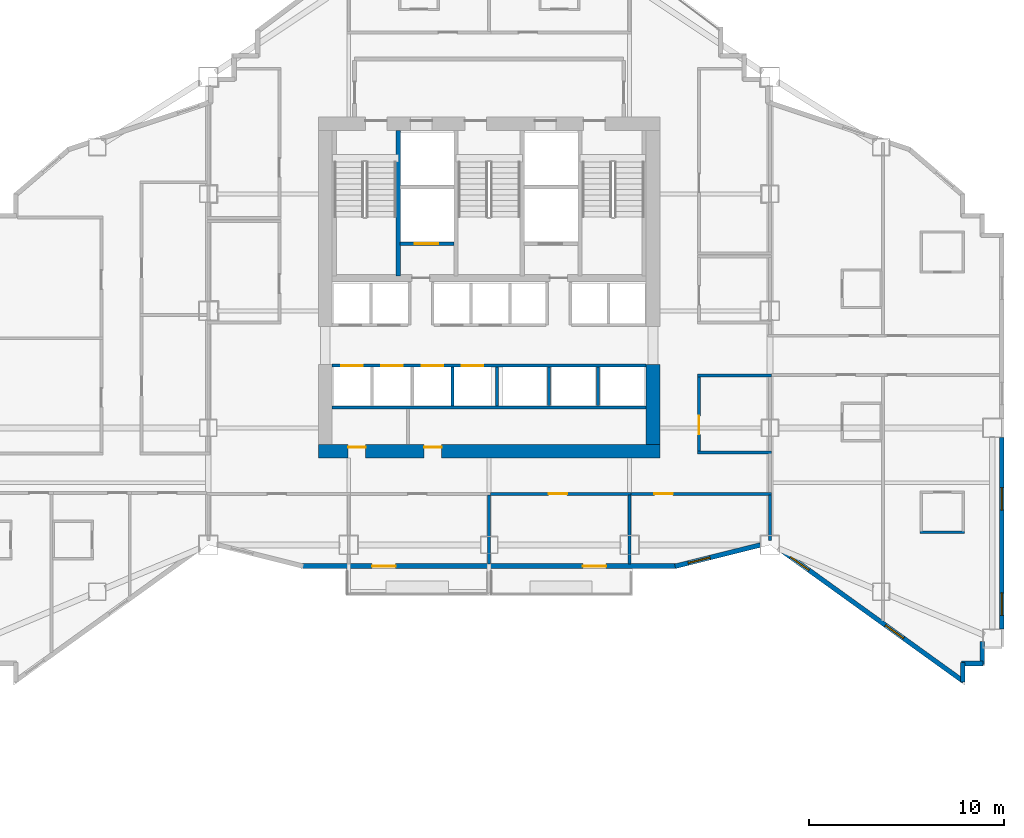
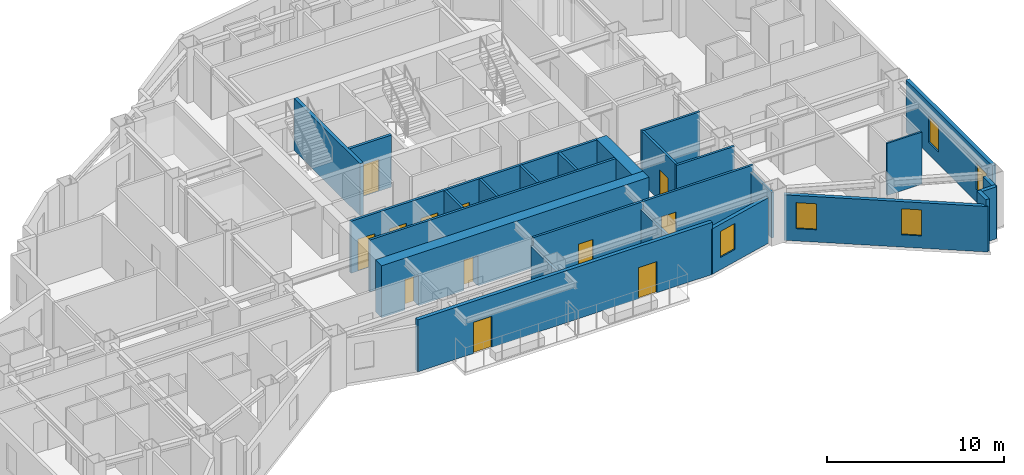
# One storey, part 7 of 14: 26 walls, 12 doors, 5 windows, 17 openings.
"""IFC4 building model written with IfcOpenShell, lengths in metres."""

from ifc_helpers import new_model, si_unit, direction, frame, frame_2d, origin, place, context, subcontext, project, spatial, rectangle, extrude, material, layer, layer_set, type_object, element, fill, save


model = new_model("IFC4")

# Units and contexts
model_context = context("Model", 3, precision=1e-05, world=origin(), true_north=direction((0.0, 1.0)))
body_context = subcontext(model_context, "Body", "Model", "MODEL_VIEW")
ifc_project = project(units=[si_unit("LENGTHUNIT", "METRE"), si_unit("AREAUNIT", "SQUARE_METRE"), si_unit("VOLUMEUNIT", "CUBIC_METRE"), si_unit("PLANEANGLEUNIT", "RADIAN"), si_unit("MASSUNIT", "GRAM", prefix="KILO")], contexts=[model_context])

# Site, building, storey
site_placement = place(None, origin())
site = spatial("IfcSite", under=ifc_project, at=site_placement, CompositionType="ELEMENT")
building_placement = place(site_placement, origin())
building = spatial("IfcBuilding", under=site, at=building_placement, Name="Haolan Belvedere Tower", CompositionType="ELEMENT")
storey_placement = place(building_placement, frame((0.0, 0.0, 98.39990234375)))
storey = spatial("IfcBuildingStorey", under=building, at=storey_placement, Name="L24", CompositionType="ELEMENT", Elevation=98.39990234375)

# Wall, openings, doors
ifc_material_1 = material(Name="Concrete C60/75", Category="concrete")
ifc_layer_1 = layer(ifc_material_1, 0.699951171875, Name="Concrete C60/75")
ifc_layer_set_1 = layer_set([ifc_layer_1], Name="Concrete C60/75")
wall_type_1 = type_object("IfcWallType", Name="WL-CORE-700", PredefinedType="SHEAR", material=ifc_layer_set_1)
wall_1_placement = place(storey_placement, frame((29.64990234375, 26.39990234375, 0.0), z_axis=(0.0, 0.0, 1.0), x_axis=(1.0, 0.0, 0.0)))
wall_1 = element("IfcWall", 1, at=wall_1_placement, inside=storey, type_object=wall_type_1, Name="L24 central core south shear wall", PredefinedType="SHEAR", context=body_context, shape_type="SweptSolid", body=[
    extrude(rectangle(XDim=17.5, YDim=0.699951171875, at=frame_2d((8.75, 0.0))), origin(), (0.0, 0.0, 1.0), 3.60009765625),
])
opening_1_placement = place(wall_1_placement, frame((2.419921875, 0.0, 0.0), z_axis=(0.0, 0.0, 1.0), x_axis=(-1.0, 0.0, 0.0)))
opening_1 = element("IfcOpeningElement", 2, at=opening_1_placement, cuts=wall_1, Name="Opening FD-05", PredefinedType="OPENING", context=body_context, shape_type="SweptSolid", body=[
    extrude(rectangle(XDim=0.89990234375, YDim=2.10009765625, at=frame_2d((0.449951171875, 1.050048828125))), frame((0.0, 0.35986328125, 0.0), z_axis=(0.0, -1.0, 0.0), x_axis=(1.0, 0.0, 0.0)), (0.0, 0.0, 1.0), 0.719970703125),
])
opening_2_placement = place(wall_1_placement, frame((6.309814453125, 0.0, 0.0), z_axis=(0.0, 0.0, 1.0), x_axis=(-1.0, 0.0, 0.0)))
opening_2 = element("IfcOpeningElement", 3, at=opening_2_placement, cuts=wall_1, Name="Opening FD-05", PredefinedType="OPENING", context=body_context, shape_type="SweptSolid", body=[
    extrude(rectangle(XDim=0.89990234375, YDim=2.10009765625, at=frame_2d((0.449951171875, 1.050048828125))), frame((0.0, 0.35986328125, 0.0), z_axis=(0.0, -1.0, 0.0), x_axis=(1.0, 0.0, 0.0)), (0.0, 0.0, 1.0), 0.719970703125),
])
ifc_material_2 = material(Name="Galvanised fire-rated steel", Category="steel")
door_type_1 = type_object("IfcDoorType", Name="DR-FD60-900", OperationType="NOTDEFINED", PredefinedType="DOOR", material=ifc_material_2)
door_1_placement = place(opening_1_placement, origin())
door_1 = element("IfcDoor", 4, at=door_1_placement, inside=storey, type_object=door_type_1, Name="L24 door CD-L24-SCV-1", OperationType="SINGLE_SWING_LEFT", OverallHeight=2.10009765625, OverallWidth=0.89990234375, PredefinedType="DOOR", context=body_context, shape_type="SweptSolid", body=[
    extrude(rectangle(XDim=0.89990234375, YDim=2.10009765625, at=frame_2d((0.449951171875, 1.050048828125))), frame((0.0, -0.19482421875, 0.0), z_axis=(0.0, -1.0, 0.0), x_axis=(1.0, 0.0, 0.0)), (0.0, 0.0, 1.0), 0.050048828125),
])
fill(opening_1, door_1)
door_2_placement = place(opening_2_placement, origin())
door_2 = element("IfcDoor", 5, at=door_2_placement, inside=storey, type_object=door_type_1, Name="L24 door CD-L24-SCV-2", OperationType="SINGLE_SWING_RIGHT", OverallHeight=2.10009765625, OverallWidth=0.89990234375, PredefinedType="DOOR", context=body_context, shape_type="SweptSolid", body=[
    extrude(rectangle(XDim=0.89990234375, YDim=2.10009765625, at=frame_2d((0.449951171875, 1.050048828125))), frame((0.0, -0.19482421875, 0.0), z_axis=(0.0, -1.0, 0.0), x_axis=(1.0, 0.0, 0.0)), (0.0, 0.0, 1.0), 0.050048828125),
])
fill(opening_2, door_2)

# Wall
wall_2_placement = place(storey_placement, frame((46.800048828125, 26.75, 0.0), z_axis=(0.0, 0.0, 1.0), x_axis=(0.0, 1.0, 0.0)))
element("IfcWall", 6, at=wall_2_placement, inside=storey, type_object=wall_type_1, Name="L24 central core shear wall ES", PredefinedType="SHEAR", context=body_context, shape_type="SweptSolid", body=[
    extrude(rectangle(XDim=4.10009765625, YDim=0.699951171875, at=frame_2d((2.050048828125, 0.0))), origin(), (0.0, 0.0, 1.0), 3.60009765625),
])

# Wall, openings, doors
ifc_material_3 = material(Name="Precast concrete C40/50", Category="concrete")
ifc_layer_2 = layer(ifc_material_3, 0.239990234375, Name="Precast concrete C40/50")
ifc_layer_set_2 = layer_set([ifc_layer_2], Name="Precast concrete C40/50")
wall_type_2 = type_object("IfcWallType", Name="WL-EXT-240", PredefinedType="SOLIDWALL", material=ifc_layer_set_2)
wall_3_placement = place(storey_placement, frame((28.759765625, 20.52001953125, 0.0), z_axis=(0.0, 0.0, 1.0), x_axis=(1.0, 0.0, 0.0)))
wall_3 = element("IfcWall", 7, at=wall_3_placement, inside=storey, type_object=wall_type_2, Name="L24 pale-metal exterior spandrel wall 7.1", PredefinedType="SOLIDWALL", context=body_context, shape_type="SweptSolid", body=[
    extrude(rectangle(XDim=19.280517578125, YDim=0.239990234375, at=frame_2d((9.64013671875, 0.0))), origin(), (0.0, 0.0, 1.0), 3.60009765625),
])
opening_3_placement = place(wall_3_placement, frame((4.840087890625, 0.0, 0.0), z_axis=(0.0, 0.0, 1.0), x_axis=(-1.0, 0.0, 0.0)))
opening_3 = element("IfcOpeningElement", 8, at=opening_3_placement, cuts=wall_3, Name="Opening BD-01", PredefinedType="OPENING", context=body_context, shape_type="SweptSolid", body=[
    extrude(rectangle(XDim=1.199951171875, YDim=2.14990234375, at=frame_2d((0.60009765625, 1.074951171875))), frame((0.0, 0.1298828125, 0.0), z_axis=(0.0, -1.0, 0.0), x_axis=(1.0, 0.0, 0.0)), (0.0, 0.0, 1.0), 0.260009765625),
])
opening_4_placement = place(wall_3_placement, frame((15.64013671875, 0.0, 0.0), z_axis=(0.0, 0.0, 1.0), x_axis=(-1.0, 0.0, 0.0)))
opening_4 = element("IfcOpeningElement", 9, at=opening_4_placement, cuts=wall_3, Name="Opening BD-01", PredefinedType="OPENING", context=body_context, shape_type="SweptSolid", body=[
    extrude(rectangle(XDim=1.199951171875, YDim=2.14990234375, at=frame_2d((0.60009765625, 1.074951171875))), frame((0.0, 0.1298828125, 0.0), z_axis=(0.0, -1.0, 0.0), x_axis=(1.0, 0.0, 0.0)), (0.0, 0.0, 1.0), 0.260009765625),
])
ifc_material_4 = material(Name="Thermally broken pale-metal aluminium and Low-E glass", Category="aluminium")
door_type_2 = type_object("IfcDoorType", Name="DR-BAL-1200", OperationType="NOTDEFINED", PredefinedType="DOOR", material=ifc_material_4)
door_3_placement = place(opening_3_placement, origin())
door_3 = element("IfcDoor", 10, at=door_3_placement, inside=storey, type_object=door_type_2, Name="L24 tree-balcony access door 1", OperationType="SINGLE_SWING_RIGHT", OverallHeight=2.14990234375, OverallWidth=1.199951171875, PredefinedType="DOOR", context=body_context, shape_type="SweptSolid", body=[
    extrude(rectangle(XDim=1.199951171875, YDim=2.14990234375, at=frame_2d((0.60009765625, 1.074951171875))), frame((0.0, 0.02490234375, 0.0), z_axis=(0.0, -1.0, 0.0), x_axis=(1.0, 0.0, 0.0)), (0.0, 0.0, 1.0), 0.050048828125),
])
fill(opening_3, door_3)
door_4_placement = place(opening_4_placement, origin())
door_4 = element("IfcDoor", 11, at=door_4_placement, inside=storey, type_object=door_type_2, Name="L24 tree-balcony access door 2", OperationType="SINGLE_SWING_LEFT", OverallHeight=2.14990234375, OverallWidth=1.199951171875, PredefinedType="DOOR", context=body_context, shape_type="SweptSolid", body=[
    extrude(rectangle(XDim=1.199951171875, YDim=2.14990234375, at=frame_2d((0.60009765625, 1.074951171875))), frame((0.0, 0.02490234375, 0.0), z_axis=(0.0, -1.0, 0.0), x_axis=(1.0, 0.0, 0.0)), (0.0, 0.0, 1.0), 0.050048828125),
])
fill(opening_4, door_4)

# Wall, opening, window
wall_4_placement = place(storey_placement, frame((47.931884765625, 20.506591796875, 0.0), z_axis=(0.0, 0.0, 1.0), x_axis=(0.970145683738, 0.242522890311, 0.0)))
wall_4 = element("IfcWall", 12, at=wall_4_placement, inside=storey, type_object=wall_type_2, Name="L24 pale-metal exterior spandrel wall 8.1", PredefinedType="SOLIDWALL", context=body_context, shape_type="SweptSolid", body=[
    extrude(rectangle(XDim=4.510986328125, YDim=0.239990234375, at=frame_2d((2.25537109375, 0.0))), origin(), (0.0, 0.0, 1.0), 3.14501953125),
])
opening_5_placement = place(wall_4_placement, frame((0.699951171875, 0.0, 0.85009765625)))
opening_5 = element("IfcOpeningElement", 13, at=opening_5_placement, cuts=wall_4, Name="Opening W-02", PredefinedType="OPENING", context=body_context, shape_type="SweptSolid", body=[
    extrude(rectangle(XDim=1.14990234375, YDim=1.800048828125, at=frame_2d((0.574951171875, 0.89990234375))), frame((0.0, 0.1298828125, 0.0), z_axis=(0.0, -1.0, 0.0), x_axis=(1.0, 0.0, 0.0)), (0.0, 0.0, 1.0), 0.260009765625),
])
ifc_material_5 = material(Name="Anodised aluminium 6063-T6 and Low-E glass", Category="aluminium")
window_type = type_object("IfcWindowType", Name="WN-DECO-Z2", PartitioningType="SINGLE_PANEL", PredefinedType="WINDOW", material=ifc_material_5)
window_1_placement = place(opening_5_placement, origin())
window_1 = element("IfcWindow", 14, at=window_1_placement, inside=storey, type_object=window_type, Name="L24 Art Deco chevron window 1", OverallHeight=1.800048828125, OverallWidth=1.14990234375, PartitioningType="SINGLE_PANEL", PredefinedType="WINDOW", context=body_context, shape_type="SweptSolid", body=[
    extrude(rectangle(XDim=1.14990234375, YDim=1.800048828125, at=frame_2d((0.574951171875, 0.89990234375))), frame((0.0, 0.030029296875, 0.0), z_axis=(0.0, -1.0, 0.0), x_axis=(1.0, 0.0, 0.0)), (0.0, 0.0, 1.0), 0.06005859375),
])
fill(opening_5, window_1)

# Wall, openings, windows
wall_5_placement = place(storey_placement, frame((53.2919921875, 21.3935546875, 0.0), z_axis=(0.0, 0.0, 1.0), x_axis=(0.811543504691, -0.584291998913, 0.0)))
wall_5 = element("IfcWall", 15, at=wall_5_placement, inside=storey, type_object=wall_type_2, Name="L24 pale-metal exterior spandrel wall 9.1", PredefinedType="SOLIDWALL", context=body_context, shape_type="SweptSolid", body=[
    extrude(rectangle(XDim=11.623046875, YDim=0.239990234375, at=frame_2d((5.8115234375, 0.0))), origin(), (0.0, 0.0, 1.0), 3.14501953125),
])
opening_6_placement = place(wall_5_placement, frame((0.699951171875, 0.0, 0.85009765625)))
opening_6 = element("IfcOpeningElement", 16, at=opening_6_placement, cuts=wall_5, Name="Opening W-02", PredefinedType="OPENING", context=body_context, shape_type="SweptSolid", body=[
    extrude(rectangle(XDim=1.14990234375, YDim=1.800048828125, at=frame_2d((0.574951171875, 0.89990234375))), frame((0.0, 0.1298828125, 0.0), z_axis=(0.0, -1.0, 0.0), x_axis=(1.0, 0.0, 0.0)), (0.0, 0.0, 1.0), 0.260009765625),
])
opening_7_placement = place(wall_5_placement, frame((6.687744140625, 0.0, 0.85009765625)))
opening_7 = element("IfcOpeningElement", 17, at=opening_7_placement, cuts=wall_5, Name="Opening W-02", PredefinedType="OPENING", context=body_context, shape_type="SweptSolid", body=[
    extrude(rectangle(XDim=1.14990234375, YDim=1.800048828125, at=frame_2d((0.574951171875, 0.89990234375))), frame((0.0, 0.1298828125, 0.0), z_axis=(0.0, -1.0, 0.0), x_axis=(1.0, 0.0, 0.0)), (0.0, 0.0, 1.0), 0.260009765625),
])
window_2_placement = place(opening_6_placement, origin())
window_2 = element("IfcWindow", 18, at=window_2_placement, inside=storey, type_object=window_type, Name="L24 Art Deco chevron window 1", OverallHeight=1.800048828125, OverallWidth=1.14990234375, PartitioningType="SINGLE_PANEL", PredefinedType="WINDOW", context=body_context, shape_type="SweptSolid", body=[
    extrude(rectangle(XDim=1.14990234375, YDim=1.800048828125, at=frame_2d((0.574951171875, 0.89990234375))), frame((0.0, 0.030029296875, 0.0), z_axis=(0.0, -1.0, 0.0), x_axis=(1.0, 0.0, 0.0)), (0.0, 0.0, 1.0), 0.06005859375),
])
fill(opening_6, window_2)
window_3_placement = place(opening_7_placement, origin())
window_3 = element("IfcWindow", 19, at=window_3_placement, inside=storey, type_object=window_type, Name="L24 Art Deco chevron window 2", OverallHeight=1.800048828125, OverallWidth=1.14990234375, PartitioningType="SINGLE_PANEL", PredefinedType="WINDOW", context=body_context, shape_type="SweptSolid", body=[
    extrude(rectangle(XDim=1.14990234375, YDim=1.800048828125, at=frame_2d((0.574951171875, 0.89990234375))), frame((0.0, 0.030029296875, 0.0), z_axis=(0.0, -1.0, 0.0), x_axis=(1.0, 0.0, 0.0)), (0.0, 0.0, 1.0), 0.06005859375),
])
fill(opening_7, window_3)

# Walls
wall_6_placement = place(storey_placement, frame((62.679931640625, 14.579345703125, 0.0), z_axis=(0.0, 0.0, 1.0), x_axis=(0.0, 1.0, 0.0)))
element("IfcWall", 20, at=wall_6_placement, inside=storey, type_object=wall_type_2, Name="L24 pale-metal exterior spandrel wall 10.1", PredefinedType="SOLIDWALL", context=body_context, shape_type="SweptSolid", body=[
    extrude(rectangle(XDim=0.99560546875, YDim=0.239990234375, at=frame_2d((0.497802734375, 0.0))), origin(), (0.0, 0.0, 1.0), 3.60009765625),
])
wall_7_placement = place(storey_placement, frame((62.625, 15.52001953125, 0.0), z_axis=(0.0, 0.0, 1.0), x_axis=(1.0, 0.0, 0.0)))
element("IfcWall", 21, at=wall_7_placement, inside=storey, type_object=wall_type_2, Name="L24 pale-metal exterior spandrel wall 11.1", PredefinedType="SOLIDWALL", context=body_context, shape_type="SweptSolid", body=[
    extrude(rectangle(XDim=1.110107421875, YDim=0.239990234375, at=frame_2d((0.55517578125, 0.0))), origin(), (0.0, 0.0, 1.0), 3.60009765625),
])
wall_8_placement = place(storey_placement, frame((63.679931640625, 15.465087890625, 0.0), z_axis=(0.0, 0.0, 1.0), x_axis=(0.0, 1.0, 0.0)))
element("IfcWall", 22, at=wall_8_placement, inside=storey, type_object=wall_type_2, Name="L24 pale-metal exterior spandrel wall 12.1", PredefinedType="SOLIDWALL", context=body_context, shape_type="SweptSolid", body=[
    extrude(rectangle(XDim=1.1748046875, YDim=0.239990234375, at=frame_2d((0.58740234375, 0.0))), origin(), (0.0, 0.0, 1.0), 3.60009765625),
])

# Wall, openings, windows
wall_9_placement = place(storey_placement, frame((64.679931640625, 17.2919921875, 0.0), z_axis=(0.0, 0.0, 1.0), x_axis=(0.0, 1.0, 0.0)))
wall_9 = element("IfcWall", 23, at=wall_9_placement, inside=storey, type_object=wall_type_2, Name="L24 pale-metal exterior spandrel wall 14.1", PredefinedType="SOLIDWALL", context=body_context, shape_type="SweptSolid", body=[
    extrude(rectangle(XDim=9.81591796875, YDim=0.239990234375, at=frame_2d((4.907958984375, 0.0))), origin(), (0.0, 0.0, 1.0), 3.60009765625),
])
opening_8_placement = place(wall_9_placement, frame((0.699951171875, 0.0, 0.85009765625)))
opening_8 = element("IfcOpeningElement", 24, at=opening_8_placement, cuts=wall_9, Name="Opening W-02", PredefinedType="OPENING", context=body_context, shape_type="SweptSolid", body=[
    extrude(rectangle(XDim=1.14990234375, YDim=1.800048828125, at=frame_2d((0.574951171875, 0.89990234375))), frame((0.0, 0.1298828125, 0.0), z_axis=(0.0, -1.0, 0.0), x_axis=(1.0, 0.0, 0.0)), (0.0, 0.0, 1.0), 0.260009765625),
])
opening_9_placement = place(wall_9_placement, frame((6.10009765625, 0.0, 0.85009765625)))
opening_9 = element("IfcOpeningElement", 25, at=opening_9_placement, cuts=wall_9, Name="Opening W-02", PredefinedType="OPENING", context=body_context, shape_type="SweptSolid", body=[
    extrude(rectangle(XDim=1.14990234375, YDim=1.800048828125, at=frame_2d((0.574951171875, 0.89990234375))), frame((0.0, 0.1298828125, 0.0), z_axis=(0.0, -1.0, 0.0), x_axis=(1.0, 0.0, 0.0)), (0.0, 0.0, 1.0), 0.260009765625),
])
window_4_placement = place(opening_8_placement, origin())
window_4 = element("IfcWindow", 26, at=window_4_placement, inside=storey, type_object=window_type, Name="L24 Art Deco chevron window 1", OverallHeight=1.800048828125, OverallWidth=1.14990234375, PartitioningType="SINGLE_PANEL", PredefinedType="WINDOW", context=body_context, shape_type="SweptSolid", body=[
    extrude(rectangle(XDim=1.14990234375, YDim=1.800048828125, at=frame_2d((0.574951171875, 0.89990234375))), frame((0.0, 0.030029296875, 0.0), z_axis=(0.0, -1.0, 0.0), x_axis=(1.0, 0.0, 0.0)), (0.0, 0.0, 1.0), 0.06005859375),
])
fill(opening_8, window_4)
window_5_placement = place(opening_9_placement, origin())
window_5 = element("IfcWindow", 27, at=window_5_placement, inside=storey, type_object=window_type, Name="L24 Art Deco chevron window 2", OverallHeight=1.800048828125, OverallWidth=1.14990234375, PartitioningType="SINGLE_PANEL", PredefinedType="WINDOW", context=body_context, shape_type="SweptSolid", body=[
    extrude(rectangle(XDim=1.14990234375, YDim=1.800048828125, at=frame_2d((0.574951171875, 0.89990234375))), frame((0.0, 0.030029296875, 0.0), z_axis=(0.0, -1.0, 0.0), x_axis=(1.0, 0.0, 0.0)), (0.0, 0.0, 1.0), 0.06005859375),
])
fill(opening_9, window_5)

# Walls
ifc_material_6 = material(Name="Double gypsum acoustic stud partition", Category="masonry")
ifc_layer_3 = layer(ifc_material_6, 0.14990234375, Name="Double gypsum acoustic stud partition")
ifc_layer_set_3 = layer_set([ifc_layer_3], Name="Double gypsum acoustic stud partition")
wall_type_3 = type_object("IfcWallType", Name="WL-PART-150", PredefinedType="PARTITIONING", material=ifc_layer_set_3)
wall_10_placement = place(storey_placement, frame((30.35009765625, 28.659912109375, 0.0), z_axis=(0.0, 0.0, 1.0), x_axis=(1.0, 0.0, 0.0)))
element("IfcWall", 28, at=wall_10_placement, inside=storey, type_object=wall_type_3, Name="L24 interior partition IW-L24-SSTRIP-N", PredefinedType="PARTITIONING", context=body_context, shape_type="SweptSolid", body=[
    extrude(rectangle(XDim=16.099853515625, YDim=0.14990234375, at=frame_2d((8.0498046875, 0.0))), origin(), (0.0, 0.0, 1.0), 3.60009765625),
])
for number, where, z_axis, x_axis, name in (
    (29, (49.080078125, 30.280029296875, 0.0), (0.0, 0.0, 1.0), (1.0, 0.0, 0.0), "L24 interior partition IW-L24-PKTE-N"),
    (30, (49.080078125, 26.35009765625, 0.0), (0.0, 0.0, 1.0), (1.0, 0.0, 0.0), "L24 interior partition IW-L24-PKTE-S"),
):
    element("IfcWall", number, at=place(storey_placement, frame(where, z_axis=z_axis, x_axis=x_axis)), inside=storey, type_object=wall_type_3, Name=name, PredefinedType="PARTITIONING", context=body_context, shape_type="SweptSolid", body=[
        extrude(rectangle(XDim=3.7998046875, YDim=0.14990234375, at=frame_2d((1.89990234375, 0.0))), origin(), (0.0, 0.0, 1.0), 3.60009765625),
    ])

# Wall, opening, door
wall_11_placement = place(storey_placement, frame((49.159912109375, 26.409912109375, 0.0), z_axis=(0.0, 0.0, 1.0), x_axis=(0.0, 1.0, 0.0)))
wall_11 = element("IfcWall", 31, at=wall_11_placement, inside=storey, type_object=wall_type_3, Name="L24 interior partition IW-L24-PKTE-W", PredefinedType="PARTITIONING", context=body_context, shape_type="SweptSolid", body=[
    extrude(rectangle(XDim=3.81005859375, YDim=0.14990234375, at=frame_2d((1.905029296875, 0.0))), origin(), (0.0, 0.0, 1.0), 3.60009765625),
])
opening_10_placement = place(wall_11_placement, frame((0.860107421875, 0.0, 0.0)))
opening_10 = element("IfcOpeningElement", 32, at=opening_10_placement, cuts=wall_11, Name="Opening ID-03", PredefinedType="OPENING", context=body_context, shape_type="SweptSolid", body=[
    extrude(rectangle(XDim=0.949951171875, YDim=2.1201171875, at=frame_2d((0.47509765625, 1.06005859375))), frame((0.0, 0.0849609375, 0.0), z_axis=(0.0, -1.0, 0.0), x_axis=(1.0, 0.0, 0.0)), (0.0, 0.0, 1.0), 0.169921875),
])
ifc_material_7 = material(Name="Painted solid-core timber", Category="wood")
door_type_3 = type_object("IfcDoorType", Name="DR-INT-950", OperationType="NOTDEFINED", PredefinedType="DOOR", material=ifc_material_7)
door_5_placement = place(opening_10_placement, origin())
door_5 = element("IfcDoor", 33, at=door_5_placement, inside=storey, type_object=door_type_3, Name="L24 door ID-L24-PKTE", OperationType="SINGLE_SWING_RIGHT", OverallHeight=2.1201171875, OverallWidth=0.949951171875, PredefinedType="DOOR", context=body_context, shape_type="SweptSolid", body=[
    extrude(rectangle(XDim=0.949951171875, YDim=2.1201171875, at=frame_2d((0.47509765625, 1.06005859375))), frame((0.0, 0.02490234375, 0.0), z_axis=(0.0, -1.0, 0.0), x_axis=(1.0, 0.0, 0.0)), (0.0, 0.0, 1.0), 0.050048828125),
])
fill(opening_10, door_5)

# Wall
wall_12_placement = place(storey_placement, frame((38.39990234375, 20.625, 0.0), z_axis=(0.0, 0.0, 1.0), x_axis=(0.0, 1.0, 0.0)))
element("IfcWall", 34, at=wall_12_placement, inside=storey, type_object=wall_type_3, Name="L24 interior partition IW-L24-KS2-E", PredefinedType="PARTITIONING", context=body_context, shape_type="SweptSolid", body=[
    extrude(rectangle(XDim=3.534912109375, YDim=0.14990234375, at=frame_2d((1.767578125, 0.0))), origin(), (0.0, 0.0, 1.0), 3.085205078125),
])

# Wall, opening, door
wall_13_placement = place(storey_placement, frame((38.48193359375, 24.219970703125, 0.0), z_axis=(0.0, 0.0, 1.0), x_axis=(1.0, 0.0, 0.0)))
wall_13 = element("IfcWall", 35, at=wall_13_placement, inside=storey, type_object=wall_type_3, Name="L24 interior partition IW-L24-KS3-N", PredefinedType="PARTITIONING", context=body_context, shape_type="SweptSolid", body=[
    extrude(rectangle(XDim=7.197998046875, YDim=0.14990234375, at=frame_2d((3.59912109375, 0.0))), origin(), (0.0, 0.0, 1.0), 3.60009765625),
])
opening_11_placement = place(wall_13_placement, frame((3.912841796875, 0.0, 0.0), z_axis=(0.0, 0.0, 1.0), x_axis=(-1.0, 0.0, 0.0)))
opening_11 = element("IfcOpeningElement", 36, at=opening_11_placement, cuts=wall_13, Name="Opening ID-03", PredefinedType="OPENING", context=body_context, shape_type="SweptSolid", body=[
    extrude(rectangle(XDim=0.949951171875, YDim=2.1201171875, at=frame_2d((0.47509765625, 1.06005859375))), frame((0.0, 0.0849609375, 0.0), z_axis=(0.0, -1.0, 0.0), x_axis=(1.0, 0.0, 0.0)), (0.0, 0.0, 1.0), 0.169921875),
])
door_6_placement = place(opening_11_placement, origin())
door_6 = element("IfcDoor", 37, at=door_6_placement, inside=storey, type_object=door_type_3, Name="L24 door ID-L24-KS3", OperationType="SINGLE_SWING_RIGHT", OverallHeight=2.1201171875, OverallWidth=0.949951171875, PredefinedType="DOOR", context=body_context, shape_type="SweptSolid", body=[
    extrude(rectangle(XDim=0.949951171875, YDim=2.1201171875, at=frame_2d((0.47509765625, 1.06005859375))), frame((0.0, 0.02490234375, 0.0), z_axis=(0.0, -1.0, 0.0), x_axis=(1.0, 0.0, 0.0)), (0.0, 0.0, 1.0), 0.050048828125),
])
fill(opening_11, door_6)

# Wall
wall_14_placement = place(storey_placement, frame((45.60009765625, 20.625, 0.0), z_axis=(0.0, 0.0, 1.0), x_axis=(0.0, 1.0, 0.0)))
element("IfcWall", 38, at=wall_14_placement, inside=storey, type_object=wall_type_3, Name="L24 interior partition IW-L24-KS3-E", PredefinedType="PARTITIONING", context=body_context, shape_type="SweptSolid", body=[
    extrude(rectangle(XDim=3.534912109375, YDim=0.14990234375, at=frame_2d((1.767578125, 0.0))), origin(), (0.0, 0.0, 1.0), 3.085205078125),
])

# Wall, opening, door
wall_15_placement = place(storey_placement, frame((45.681884765625, 24.219970703125, 0.0), z_axis=(0.0, 0.0, 1.0), x_axis=(1.0, 0.0, 0.0)))
wall_15 = element("IfcWall", 39, at=wall_15_placement, inside=storey, type_object=wall_type_3, Name="L24 interior partition IW-L24-KS4-N", PredefinedType="PARTITIONING", context=body_context, shape_type="SweptSolid", body=[
    extrude(rectangle(XDim=7.197998046875, YDim=0.14990234375, at=frame_2d((3.59912109375, 0.0))), origin(), (0.0, 0.0, 1.0), 3.60009765625),
])
opening_12_placement = place(wall_15_placement, frame((2.14306640625, 0.0, 0.0), z_axis=(0.0, 0.0, 1.0), x_axis=(-1.0, 0.0, 0.0)))
opening_12 = element("IfcOpeningElement", 40, at=opening_12_placement, cuts=wall_15, Name="Opening ID-03", PredefinedType="OPENING", context=body_context, shape_type="SweptSolid", body=[
    extrude(rectangle(XDim=0.949951171875, YDim=2.1201171875, at=frame_2d((0.47509765625, 1.06005859375))), frame((0.0, 0.0849609375, 0.0), z_axis=(0.0, -1.0, 0.0), x_axis=(1.0, 0.0, 0.0)), (0.0, 0.0, 1.0), 0.169921875),
])
door_7_placement = place(opening_12_placement, origin())
door_7 = element("IfcDoor", 41, at=door_7_placement, inside=storey, type_object=door_type_3, Name="L24 door ID-L24-KS4", OperationType="SINGLE_SWING_LEFT", OverallHeight=2.1201171875, OverallWidth=0.949951171875, PredefinedType="DOOR", context=body_context, shape_type="SweptSolid", body=[
    extrude(rectangle(XDim=0.949951171875, YDim=2.1201171875, at=frame_2d((0.47509765625, 1.06005859375))), frame((0.0, 0.02490234375, 0.0), z_axis=(0.0, -1.0, 0.0), x_axis=(1.0, 0.0, 0.0)), (0.0, 0.0, 1.0), 0.050048828125),
])
fill(opening_12, door_7)

# Wall
wall_16_placement = place(storey_placement, frame((52.800048828125, 21.818603515625, 0.0), z_axis=(0.0, 0.0, 1.0), x_axis=(0.0, 1.0, 0.0)))
element("IfcWall", 42, at=wall_16_placement, inside=storey, type_object=wall_type_3, Name="L24 interior partition IW-L24-KS4-E", PredefinedType="PARTITIONING", context=body_context, shape_type="SweptSolid", body=[
    extrude(rectangle(XDim=2.34130859375, YDim=0.14990234375, at=frame_2d((1.170654296875, 0.0))), origin(), (0.0, 0.0, 1.0), 3.14501953125),
])

# Wall, openings, doors
ifc_material_8 = material(Name="Gypsum fire shaftwall assembly", Category="masonry")
ifc_layer_4 = layer(ifc_material_8, 0.1650390625, Name="Gypsum fire shaftwall assembly")
ifc_layer_set_4 = layer_set([ifc_layer_4], Name="Gypsum fire shaftwall assembly")
wall_type_4 = type_object("IfcWallType", Name="WL-SHAFT-160", PredefinedType="SOLIDWALL", material=ifc_layer_set_4)
wall_17_placement = place(storey_placement, frame((30.35009765625, 30.800048828125, 0.0), z_axis=(0.0, 0.0, 1.0), x_axis=(1.0, 0.0, 0.0)))
wall_17 = element("IfcWall", 43, at=wall_17_placement, inside=storey, type_object=wall_type_4, Name="L24 interior partition IW-L24-ROW-PS", PredefinedType="SOLIDWALL", context=body_context, shape_type="SweptSolid", body=[
    extrude(rectangle(XDim=16.099853515625, YDim=0.159912109375, at=frame_2d((8.0498046875, 0.0))), origin(), (0.0, 0.0, 1.0), 3.60009765625),
])
opening_13_placement = place(wall_17_placement, frame((0.469970703125, 0.0, 0.0)))
opening_13 = element("IfcOpeningElement", 44, at=opening_13_placement, cuts=wall_17, Name="Opening LD-01", PredefinedType="OPENING", context=body_context, shape_type="SweptSolid", body=[
    extrude(rectangle(XDim=1.10009765625, YDim=2.199951171875, at=frame_2d((0.550048828125, 1.10009765625))), frame((0.0, 0.08984375, 0.0), z_axis=(0.0, -1.0, 0.0), x_axis=(1.0, 0.0, 0.0)), (0.0, 0.0, 1.0), 0.179931640625),
])
opening_14_placement = place(wall_17_placement, frame((2.530029296875, 0.0, 0.0)))
opening_14 = element("IfcOpeningElement", 45, at=opening_14_placement, cuts=wall_17, Name="Opening LD-01", PredefinedType="OPENING", context=body_context, shape_type="SweptSolid", body=[
    extrude(rectangle(XDim=1.10009765625, YDim=2.199951171875, at=frame_2d((0.550048828125, 1.10009765625))), frame((0.0, 0.08984375, 0.0), z_axis=(0.0, -1.0, 0.0), x_axis=(1.0, 0.0, 0.0)), (0.0, 0.0, 1.0), 0.179931640625),
])
opening_15_placement = place(wall_17_placement, frame((4.590087890625, 0.0, 0.0)))
opening_15 = element("IfcOpeningElement", 46, at=opening_15_placement, cuts=wall_17, Name="Opening LD-01", PredefinedType="OPENING", context=body_context, shape_type="SweptSolid", body=[
    extrude(rectangle(XDim=1.10009765625, YDim=2.199951171875, at=frame_2d((0.550048828125, 1.10009765625))), frame((0.0, 0.08984375, 0.0), z_axis=(0.0, -1.0, 0.0), x_axis=(1.0, 0.0, 0.0)), (0.0, 0.0, 1.0), 0.179931640625),
])
opening_16_placement = place(wall_17_placement, frame((6.64990234375, 0.0, 0.0)))
opening_16 = element("IfcOpeningElement", 47, at=opening_16_placement, cuts=wall_17, Name="Opening LD-01", PredefinedType="OPENING", context=body_context, shape_type="SweptSolid", body=[
    extrude(rectangle(XDim=1.10009765625, YDim=2.199951171875, at=frame_2d((0.550048828125, 1.10009765625))), frame((0.0, 0.08984375, 0.0), z_axis=(0.0, -1.0, 0.0), x_axis=(1.0, 0.0, 0.0)), (0.0, 0.0, 1.0), 0.179931640625),
])
ifc_material_9 = material(Name="Brushed champagne stainless steel 316L", Category="steel")
door_type_4 = type_object("IfcDoorType", Name="DR-LIFT-1100", OperationType="SLIDING_TO_LEFT", PredefinedType="DOOR", material=ifc_material_9)
door_8_placement = place(opening_13_placement, origin())
door_8 = element("IfcDoor", 48, at=door_8_placement, inside=storey, type_object=door_type_4, Name="L24 door ID-L24-LD-PM1", OperationType="SLIDING_TO_LEFT", OverallHeight=2.199951171875, OverallWidth=1.10009765625, PredefinedType="DOOR", context=body_context, shape_type="SweptSolid", body=[
    extrude(rectangle(XDim=1.10009765625, YDim=2.199951171875, at=frame_2d((0.550048828125, 1.10009765625))), frame((0.0, 0.02490234375, 0.0), z_axis=(0.0, -1.0, 0.0), x_axis=(1.0, 0.0, 0.0)), (0.0, 0.0, 1.0), 0.050048828125),
])
fill(opening_13, door_8)
door_9_placement = place(opening_14_placement, origin())
door_9 = element("IfcDoor", 49, at=door_9_placement, inside=storey, type_object=door_type_4, Name="L24 door ID-L24-LD-PM2", OperationType="SLIDING_TO_LEFT", OverallHeight=2.199951171875, OverallWidth=1.10009765625, PredefinedType="DOOR", context=body_context, shape_type="SweptSolid", body=[
    extrude(rectangle(XDim=1.10009765625, YDim=2.199951171875, at=frame_2d((0.550048828125, 1.10009765625))), frame((0.0, 0.02490234375, 0.0), z_axis=(0.0, -1.0, 0.0), x_axis=(1.0, 0.0, 0.0)), (0.0, 0.0, 1.0), 0.050048828125),
])
fill(opening_14, door_9)
door_10_placement = place(opening_15_placement, origin())
door_10 = element("IfcDoor", 50, at=door_10_placement, inside=storey, type_object=door_type_4, Name="L24 door ID-L24-LD-PM3", OperationType="SLIDING_TO_LEFT", OverallHeight=2.199951171875, OverallWidth=1.10009765625, PredefinedType="DOOR", context=body_context, shape_type="SweptSolid", body=[
    extrude(rectangle(XDim=1.10009765625, YDim=2.199951171875, at=frame_2d((0.550048828125, 1.10009765625))), frame((0.0, 0.02490234375, 0.0), z_axis=(0.0, -1.0, 0.0), x_axis=(1.0, 0.0, 0.0)), (0.0, 0.0, 1.0), 0.050048828125),
])
fill(opening_15, door_10)
door_11_placement = place(opening_16_placement, origin())
door_11 = element("IfcDoor", 51, at=door_11_placement, inside=storey, type_object=door_type_4, Name="L24 door ID-L24-LD-PM4", OperationType="SLIDING_TO_LEFT", OverallHeight=2.199951171875, OverallWidth=1.10009765625, PredefinedType="DOOR", context=body_context, shape_type="SweptSolid", body=[
    extrude(rectangle(XDim=1.10009765625, YDim=2.199951171875, at=frame_2d((0.550048828125, 1.10009765625))), frame((0.0, 0.02490234375, 0.0), z_axis=(0.0, -1.0, 0.0), x_axis=(1.0, 0.0, 0.0)), (0.0, 0.0, 1.0), 0.050048828125),
])
fill(opening_16, door_11)

# Walls
for number, where, z_axis, x_axis, name in (
    (52, (36.52001953125, 28.735107421875, 0.0), (0.0, 0.0, 1.0), (0.0, 1.0, 0.0), "L24 interior partition IW-L24-DIV-PM3"),
    (53, (38.800048828125, 28.735107421875, 0.0), (0.0, 0.0, 1.0), (0.0, 1.0, 0.0), "L24 interior partition IW-L24-DIV-PM4"),
):
    element("IfcWall", number, at=place(storey_placement, frame(where, z_axis=z_axis, x_axis=x_axis)), inside=storey, type_object=wall_type_4, Name=name, PredefinedType="SOLIDWALL", context=body_context, shape_type="SweptSolid", body=[
        extrude(rectangle(XDim=1.98486328125, YDim=0.14990234375, at=frame_2d((0.992431640625, 0.0))), origin(), (0.0, 0.0, 1.0), 3.60009765625),
    ])
for number, where, z_axis, x_axis, name in (
    (54, (41.469970703125, 28.75, 0.0), (0.0, 0.0, 1.0), (0.0, 1.0, 0.0), "L24 interior partition IW-L24-DIV-OB1"),
    (55, (43.97998046875, 28.75, 0.0), (0.0, 0.0, 1.0), (0.0, 1.0, 0.0), "L24 interior partition IW-L24-DIV-OB2"),
):
    element("IfcWall", number, at=place(storey_placement, frame(where, z_axis=z_axis, x_axis=x_axis)), inside=storey, type_object=wall_type_4, Name=name, PredefinedType="SOLIDWALL", context=body_context, shape_type="SweptSolid", body=[
        extrude(rectangle(XDim=1.985107421875, YDim=0.14990234375, at=frame_2d((0.99267578125, 0.0))), origin(), (0.0, 0.0, 1.0), 3.60009765625),
    ])

# Wall, opening, door
ifc_layer_5 = layer(ifc_material_3, 0.179931640625, Name="Precast concrete C40/50")
ifc_layer_set_5 = layer_set([ifc_layer_5], Name="Precast concrete C40/50")
wall_type_5 = type_object("IfcWallType", Name="WL-SHAFT-180", PredefinedType="SOLIDWALL", material=ifc_layer_set_5)
wall_18_placement = place(storey_placement, frame((33.8349609375, 37.050048828125, 0.0), z_axis=(0.0, 0.0, 1.0), x_axis=(1.0, 0.0, 0.0)))
wall_18 = element("IfcWall", 56, at=wall_18_placement, inside=storey, type_object=wall_type_5, Name="L24 interior partition IW-L24-SV1-S", PredefinedType="SOLIDWALL", context=body_context, shape_type="SweptSolid", body=[
    extrude(rectangle(XDim=2.77001953125, YDim=0.179931640625, at=frame_2d((1.385009765625, 0.0))), origin(), (0.0, 0.0, 1.0), 3.60009765625),
])
opening_17_placement = place(wall_18_placement, frame((1.945068359375, 0.0, 0.0), z_axis=(0.0, 0.0, 1.0), x_axis=(-1.0, 0.0, 0.0)))
opening_17 = element("IfcOpeningElement", 57, at=opening_17_placement, cuts=wall_18, Name="Opening LD-02", PredefinedType="OPENING", context=body_context, shape_type="SweptSolid", body=[
    extrude(rectangle(XDim=1.199951171875, YDim=2.199951171875, at=frame_2d((0.60009765625, 1.10009765625))), frame((0.0, 0.099853515625, 0.0), z_axis=(0.0, -1.0, 0.0), x_axis=(1.0, 0.0, 0.0)), (0.0, 0.0, 1.0), 0.199951171875),
])
door_type_5 = type_object("IfcDoorType", Name="DR-LIFT-1200", OperationType="SLIDING_TO_RIGHT", PredefinedType="DOOR", material=ifc_material_9)
door_12_placement = place(opening_17_placement, origin())
door_12 = element("IfcDoor", 58, at=door_12_placement, inside=storey, type_object=door_type_5, Name="L24 door ID-L24-LD-SV1", OperationType="SLIDING_TO_RIGHT", OverallHeight=2.199951171875, OverallWidth=1.199951171875, PredefinedType="DOOR", context=body_context, shape_type="SweptSolid", body=[
    extrude(rectangle(XDim=1.199951171875, YDim=2.199951171875, at=frame_2d((0.60009765625, 1.10009765625))), frame((0.0, 0.02490234375, 0.0), z_axis=(0.0, -1.0, 0.0), x_axis=(1.0, 0.0, 0.0)), (0.0, 0.0, 1.0), 0.050048828125),
])
fill(opening_17, door_12)

# Walls
ifc_material_10 = material(Name="Concrete C50/60", Category="concrete")
ifc_layer_6 = layer(ifc_material_10, 0.219970703125, Name="Concrete C50/60")
ifc_layer_set_6 = layer_set([ifc_layer_6], Name="Concrete C50/60")
wall_type_6 = type_object("IfcWallType", Name="WL-STAIR-220", PredefinedType="SHEAR", material=ifc_layer_set_6)
wall_19_placement = place(storey_placement, frame((33.739990234375, 35.389892578125, 0.0), z_axis=(0.0, 0.0, 1.0), x_axis=(0.0, 1.0, 0.0)))
element("IfcWall", 59, at=wall_19_placement, inside=storey, type_object=wall_type_6, Name="L24 structural stair core wall ST1E", PredefinedType="SHEAR", context=body_context, shape_type="SweptSolid", body=[
    extrude(rectangle(XDim=7.460205078125, YDim=0.219970703125, at=frame_2d((3.72998046875, 0.0))), origin(), (0.0, 0.0, 1.0), 3.60009765625),
])
ifc_material_11 = material(Name="Moisture-resistant gypsum tile partition", Category="masonry")
ifc_layer_7 = layer(ifc_material_11, 0.1201171875, Name="Moisture-resistant gypsum tile partition")
ifc_layer_set_7 = layer_set([ifc_layer_7], Name="Moisture-resistant gypsum tile partition")
wall_type_7 = type_object("IfcWallType", Name="WL-WET-120", PredefinedType="PARTITIONING", material=ifc_layer_set_7)
wall_20_placement = place(storey_placement, frame((60.501953125, 22.25, 0.0), z_axis=(0.0, 0.0, 1.0), x_axis=(1.0, 0.0, 0.0)))
element("IfcWall", 60, at=wall_20_placement, inside=storey, type_object=wall_type_7, Name="L24 interior partition IW-L24-T4S2-BS", PredefinedType="PARTITIONING", context=body_context, shape_type="SweptSolid", body=[
    extrude(rectangle(XDim=2.27001953125, YDim=0.1201171875, at=frame_2d((1.135009765625, 0.0))), origin(), (0.0, 0.0, 1.0), 3.60009765625),
])

save(model, "model.ifc")
